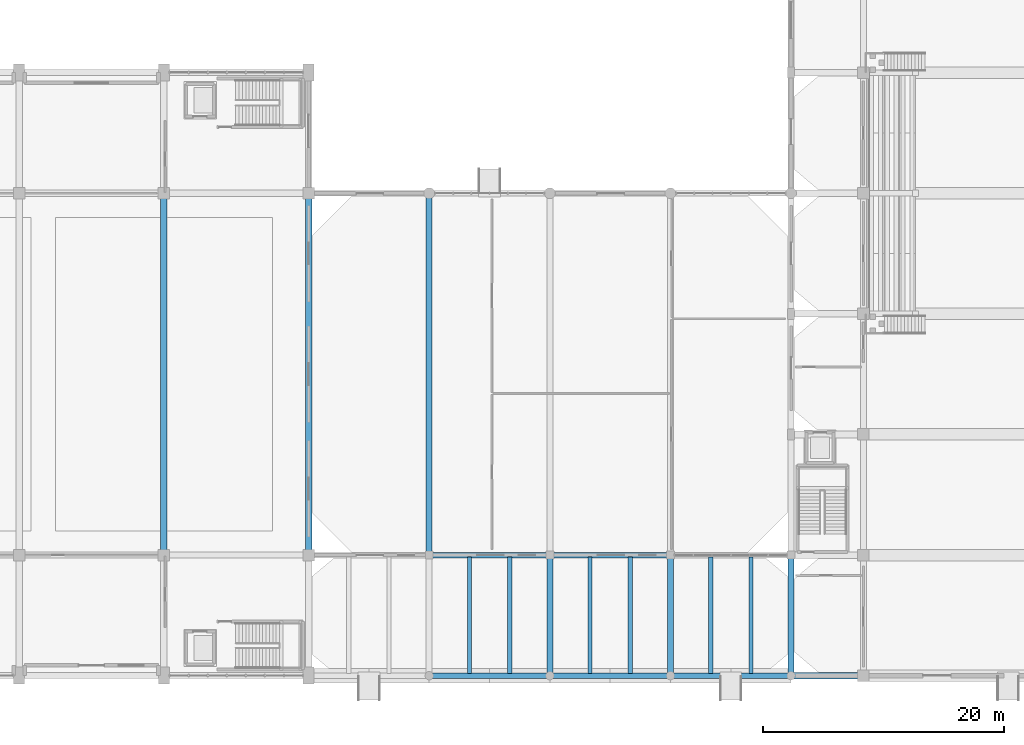
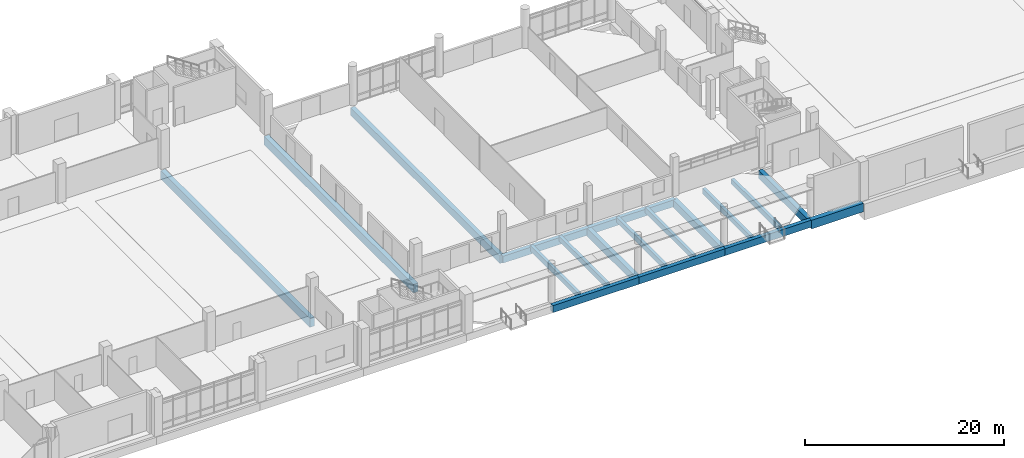
# One storey, part 23 of 87: 18 beams.
"""IFC4 building model written with IfcOpenShell, lengths in metres."""

from ifc_helpers import new_model, si_unit, direction, frame, origin, origin_2d, place, context, subcontext, project, spatial, rectangle, extrude, material, material_profile, profile_set, type_object, element, save


model = new_model("IFC4")

# Units and contexts
model_context = context("Model", 3, precision=1e-05, world=origin(), true_north=direction((0.0, 1.0)))
body_context = subcontext(model_context, "Body", "Model", "MODEL_VIEW")
ifc_project = project(units=[si_unit("LENGTHUNIT", "METRE"), si_unit("AREAUNIT", "SQUARE_METRE"), si_unit("VOLUMEUNIT", "CUBIC_METRE"), si_unit("PLANEANGLEUNIT", "RADIAN"), si_unit("MASSUNIT", "GRAM", prefix="KILO")], contexts=[model_context])

# Site, building, storey
site_placement = place(None, origin())
site = spatial("IfcSite", under=ifc_project, at=site_placement, CompositionType="ELEMENT")
building_placement = place(site_placement, origin())
building = spatial("IfcBuilding", under=site, at=building_placement, Name="Mersad Railyard Sports Hall", CompositionType="ELEMENT")
storey_placement = place(building_placement, origin())
storey = spatial("IfcBuildingStorey", under=building, at=storey_placement, Name="L00", CompositionType="ELEMENT", Elevation=0.0)

# Beams
ifc_material_1 = material(Name="Concrete C40/50", Category="concrete")
ifc_material_profile_1 = material_profile(ifc_material_1, rectangle(XDim=0.449951171875, YDim=0.85009765625, at=origin_2d()), Name="RC 450x850")
ifc_profile_set_1 = profile_set([ifc_material_profile_1], Name="Concrete C40/50")
beam_type_1 = type_object("IfcBeamType", Name="STR-BM-B02", PredefinedType="BEAM", material=ifc_profile_set_1)
for number, where, z_axis, x_axis, name in (
    (1, (101.0, 3.5, -0.875), (1.0, 0.0, 0.0), (0.0, 1.0, 0.0), "Beam B02-0054"),
    (2, (111.0, 3.5, -0.875), (1.0, 0.0, 0.0), (0.0, 1.0, 0.0), "Beam B02-0055"),
    (3, (121.0, 3.5, -0.875), (1.0, 0.0, 0.0), (0.0, 1.0, 0.0), "Beam B02-0056"),
    (4, (101.0, 13.5, -0.875), (1.0, 0.0, 0.0), (0.0, 1.0, 0.0), "Beam B02-0058"),
    (5, (111.0, 13.5, -0.875), (1.0, 0.0, 0.0), (0.0, 1.0, 0.0), "Beam B02-0059"),
):
    element("IfcBeam", number, at=place(storey_placement, frame(where, z_axis=z_axis, x_axis=x_axis)), inside=storey, type_object=beam_type_1, Name=name, PredefinedType="BEAM", context=body_context, shape_type="SweptSolid", body=[
        extrude(rectangle(XDim=0.449951171875, YDim=0.85009765625, at=origin_2d()), origin(), (0.0, 0.0, 1.0), 10.0),
    ])
ifc_material_2 = material(Name="Concrete C50/60", Category="concrete")
ifc_material_profile_2 = material_profile(ifc_material_2, rectangle(XDim=0.5, YDim=0.949951171875, at=origin_2d()), Name="RC 500x950")
ifc_profile_set_2 = profile_set([ifc_material_profile_2], Name="Concrete C50/60")
beam_type_2 = type_object("IfcBeamType", Name="STR-BM-B03", PredefinedType="BEAM", material=ifc_profile_set_2)
beam_1_placement = place(storey_placement, frame((101.0, 13.5, -0.925048828125), z_axis=(0.0, 1.0, 0.0), x_axis=(-1.0, 0.0, 0.0)))
element("IfcBeam", 6, at=beam_1_placement, inside=storey, type_object=beam_type_2, Name="Beam B03-0066", PredefinedType="BEAM", context=body_context, shape_type="SweptSolid", body=[
    extrude(rectangle(XDim=0.5, YDim=0.949951171875, at=origin_2d()), origin(), (0.0, 0.0, 1.0), 30.0),
])
for number, where, z_axis, x_axis, name in (
    (7, (111.0, 3.5, -0.925048828125), (0.0, 1.0, 0.0), (-1.0, 0.0, 0.0), "Beam B03-0067"),
    (8, (121.0, 3.5, -0.925048828125), (0.0, 1.0, 0.0), (-1.0, 0.0, 0.0), "Beam B03-0069"),
    (9, (131.0, 3.5, -0.925048828125), (0.0, 1.0, 0.0), (-1.0, 0.0, 0.0), "Beam B03-0071"),
):
    element("IfcBeam", number, at=place(storey_placement, frame(where, z_axis=z_axis, x_axis=x_axis)), inside=storey, type_object=beam_type_2, Name=name, PredefinedType="BEAM", context=body_context, shape_type="SweptSolid", body=[
        extrude(rectangle(XDim=0.5, YDim=0.949951171875, at=origin_2d()), origin(), (0.0, 0.0, 1.0), 10.0),
    ])
ifc_material_profile_3 = material_profile(ifc_material_2, rectangle(XDim=0.550048828125, YDim=1.050048828125, at=origin_2d()), Name="RC 550x1050")
ifc_profile_set_3 = profile_set([ifc_material_profile_3], Name="Concrete C50/60")
beam_type_3 = type_object("IfcBeamType", Name="STR-BM-B04", PredefinedType="BEAM", material=ifc_profile_set_3)
for number, where, z_axis, x_axis, name in (
    (10, (79.0, 13.5, -0.97509765625), (0.0, 1.0, 0.0), (-1.0, 0.0, 0.0), "Beam B04-0048"),
    (11, (91.0, 13.5, -0.97509765625), (0.0, 1.0, 0.0), (-1.0, 0.0, 0.0), "Beam B04-0051"),
):
    element("IfcBeam", number, at=place(storey_placement, frame(where, z_axis=z_axis, x_axis=x_axis)), inside=storey, type_object=beam_type_3, Name=name, PredefinedType="BEAM", context=body_context, shape_type="SweptSolid", body=[
        extrude(rectangle(XDim=0.550048828125, YDim=1.050048828125, at=origin_2d()), origin(), (0.0, 0.0, 1.0), 30.0),
    ])
beam_2_placement = place(storey_placement, frame((131.0, 3.5, -0.97509765625), z_axis=(1.0, 0.0, 0.0), x_axis=(0.0, 1.0, 0.0)))
element("IfcBeam", 12, at=beam_2_placement, inside=storey, type_object=beam_type_3, Name="Beam B04-0081", PredefinedType="BEAM", context=body_context, shape_type="SweptSolid", body=[
    extrude(rectangle(XDim=0.550048828125, YDim=1.050048828125, at=origin_2d()), origin(), (0.0, 0.0, 1.0), 6.0),
])
ifc_material_profile_4 = material_profile(ifc_material_1, rectangle(XDim=0.35009765625, YDim=0.64990234375, at=origin_2d()), Name="RC 350x650")
ifc_profile_set_4 = profile_set([ifc_material_profile_4], Name="Concrete C40/50")
beam_type_4 = type_object("IfcBeamType", Name="STR-BM-J01", PredefinedType="JOIST", material=ifc_profile_set_4)
for number, where, z_axis, x_axis, name in (
    (13, (104.3330078125, 3.679931640625, -0.56494140625), (0.0, 1.0, 0.0), (-1.0, 0.0, 0.0), "Beam J01-0075"),
    (14, (107.6669921875, 3.679931640625, -0.56494140625), (0.0, 1.0, 0.0), (-1.0, 0.0, 0.0), "Beam J01-0076"),
    (15, (114.3330078125, 3.679931640625, -0.56494140625), (0.0, 1.0, 0.0), (-1.0, 0.0, 0.0), "Beam J01-0077"),
    (16, (117.6669921875, 3.679931640625, -0.56494140625), (0.0, 1.0, 0.0), (-1.0, 0.0, 0.0), "Beam J01-0078"),
    (17, (124.3330078125, 3.679931640625, -0.56494140625), (0.0, 1.0, 0.0), (-1.0, 0.0, 0.0), "Beam J01-0079"),
    (18, (127.6669921875, 3.679931640625, -0.56494140625), (0.0, 1.0, 0.0), (-1.0, 0.0, 0.0), "Beam J01-0080"),
):
    element("IfcBeam", number, at=place(storey_placement, frame(where, z_axis=z_axis, x_axis=x_axis)), inside=storey, type_object=beam_type_4, Name=name, PredefinedType="JOIST", context=body_context, shape_type="SweptSolid", body=[
        extrude(rectangle(XDim=0.35009765625, YDim=0.64990234375, at=origin_2d()), origin(), (0.0, 0.0, 1.0), 9.64013671875),
    ])

save(model, "model.ifc")
